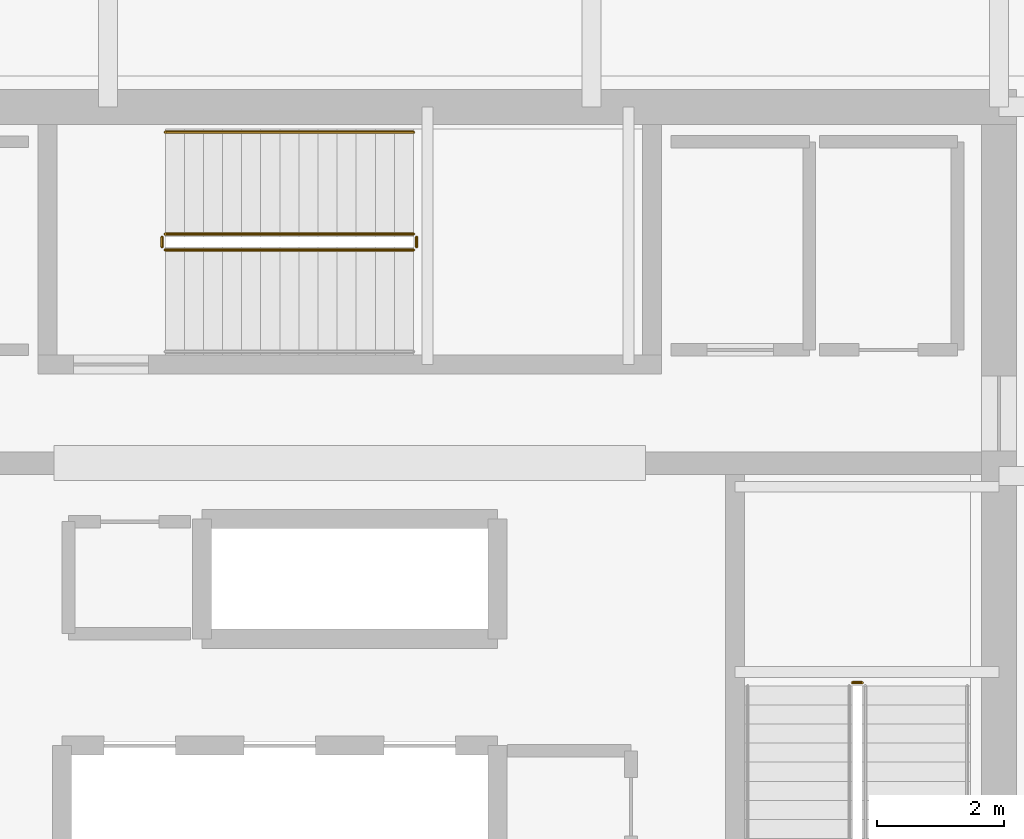
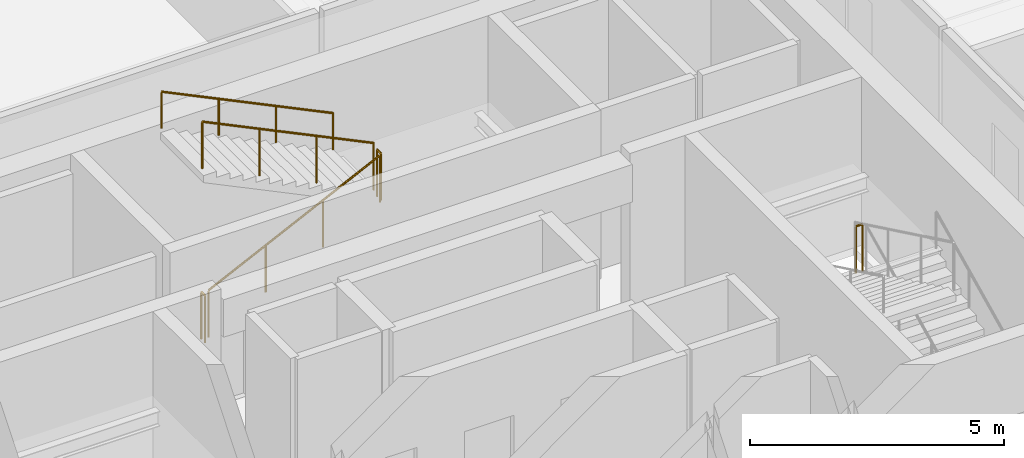
# One storey, part 38 of 39: 6 railings.
"""IFC4 building model written with IfcOpenShell, lengths in metres."""

from ifc_helpers import new_model, si_unit, direction, frame, origin, origin_2d, place, context, subcontext, project, spatial, circle, extrude, material, type_object, element, save


model = new_model("IFC4")

# Units and contexts
model_context = context("Model", 3, precision=1e-05, world=origin(), true_north=direction((0.0, 1.0)))
body_context = subcontext(model_context, "Body", "Model", "MODEL_VIEW")
ifc_project = project(units=[si_unit("LENGTHUNIT", "METRE"), si_unit("AREAUNIT", "SQUARE_METRE"), si_unit("VOLUMEUNIT", "CUBIC_METRE"), si_unit("PLANEANGLEUNIT", "RADIAN"), si_unit("MASSUNIT", "GRAM", prefix="KILO")], contexts=[model_context])

# Site, building, storey
site_placement = place(None, origin())
site = spatial("IfcSite", under=ifc_project, at=site_placement, CompositionType="ELEMENT")
building_placement = place(site_placement, origin())
building = spatial("IfcBuilding", under=site, at=building_placement, Name="Punatoya Terracotta Tower", CompositionType="ELEMENT")
storey_placement = place(building_placement, frame((0.0, 0.0, 275.699951171875)))
storey = spatial("IfcBuildingStorey", under=building, at=storey_placement, Name="L65", CompositionType="ELEMENT", Elevation=275.699951171875)

# Railings
ifc_material = material(Name="Steel S355", Category="steel")
railing_type_1 = type_object("IfcRailingType", Name="RLG-GRD-1150", PredefinedType="GUARDRAIL", material=ifc_material)
railing_1_placement = place(storey_placement, frame((8.050048828125, 0.14990234375, 2.025146484375)))
element("IfcRailing", 1, at=railing_1_placement, inside=storey, type_object=railing_type_1, Name="L65 ST-2 stair guard 2", PredefinedType="GUARDRAIL", context=body_context, shape_type="SweptSolid", body=[
    extrude(circle(Radius=0.02392578125, at=origin_2d()), frame((0.0, 0.0, 1.1259765625), z_axis=(-1.0, 0.0, 0.0), x_axis=(0.0, -1.0, 0.0)), (0.0, 0.0, 1.0), 0.150146484375),
    extrude(circle(Radius=0.02099609375, at=origin_2d()), origin(), (0.0, 0.0, 1.0), 1.101806640625),
    extrude(circle(Radius=0.02099609375, at=origin_2d()), frame((-0.150146484375, 0.0, 0.0)), (0.0, 0.0, 1.0), 1.101806640625),
])
railing_2_placement = place(storey_placement, frame((-2.89990234375, 6.949951171875, 0.144775390625)))
element("IfcRailing", 2, at=railing_2_placement, inside=storey, type_object=railing_type_1, Name="L65 ST-3 stair guard 1", PredefinedType="GUARDRAIL", context=body_context, shape_type="SweptSolid", body=[
    extrude(circle(Radius=0.02392578125, at=origin_2d()), frame((0.0, 0.0, 1.1259765625), z_axis=(0.900763166376, 0.0, 0.434310623978), x_axis=(0.0, 1.0, 0.0)), (0.0, 0.0, 1.0), 4.32958984375),
    extrude(circle(Radius=0.02099609375, at=origin_2d()), origin(), (0.0, 0.0, 1.0), 1.101806640625),
    extrude(circle(Radius=0.02099609375, at=origin_2d()), frame((1.300048828125, 0.0, 0.626708984375)), (0.0, 0.0, 1.0), 1.101806640625),
    extrude(circle(Radius=0.02099609375, at=origin_2d()), frame((2.599853515625, 0.0, 1.253662109375)), (0.0, 0.0, 1.0), 1.101806640625),
    extrude(circle(Radius=0.02099609375, at=origin_2d()), frame((3.89990234375, 0.0, 1.88037109375)), (0.0, 0.0, 1.0), 1.101806640625),
])
railing_3_placement = place(storey_placement, frame((1.050048828125, 7.0, 2.025146484375)))
element("IfcRailing", 3, at=railing_3_placement, inside=storey, type_object=railing_type_1, Name="L65 ST-3 stair guard 2", PredefinedType="GUARDRAIL", context=body_context, shape_type="SweptSolid", body=[
    extrude(circle(Radius=0.02392578125, at=origin_2d()), frame((0.0, 0.0, 1.1259765625), z_axis=(0.0, 1.0, 0.0), x_axis=(-1.0, 0.0, 0.0)), (0.0, 0.0, 1.0), 0.14990234375),
    extrude(circle(Radius=0.02099609375, at=origin_2d()), origin(), (0.0, 0.0, 1.0), 1.101806640625),
    extrude(circle(Radius=0.02099609375, at=origin_2d()), frame((0.0, 0.14990234375, 0.0)), (0.0, 0.0, 1.0), 1.101806640625),
])
railing_4_placement = place(storey_placement, frame((1.0, 7.199951171875, 2.169677734375)))
element("IfcRailing", 4, at=railing_4_placement, inside=storey, type_object=railing_type_1, Name="L65 ST-3 stair guard 3", PredefinedType="GUARDRAIL", context=body_context, shape_type="SweptSolid", body=[
    extrude(circle(Radius=0.02392578125, at=origin_2d()), frame((0.0, 0.0, 1.1259765625), z_axis=(-0.900763166376, 0.0, 0.434310623978), x_axis=(0.0, -1.0, 0.0)), (0.0, 0.0, 1.0), 4.32958984375),
    extrude(circle(Radius=0.02099609375, at=origin_2d()), origin(), (0.0, 0.0, 1.0), 1.101806640625),
    extrude(circle(Radius=0.02099609375, at=origin_2d()), frame((-1.300048828125, 0.0, 0.626708984375)), (0.0, 0.0, 1.0), 1.101806640625),
    extrude(circle(Radius=0.02099609375, at=origin_2d()), frame((-2.599853515625, 0.0, 1.253662109375)), (0.0, 0.0, 1.0), 1.101806640625),
    extrude(circle(Radius=0.02099609375, at=origin_2d()), frame((-3.89990234375, 0.0, 1.88037109375)), (0.0, 0.0, 1.0), 1.101806640625),
])
railing_5_placement = place(storey_placement, frame((-2.949951171875, 7.0, 0.0)))
element("IfcRailing", 5, at=railing_5_placement, inside=storey, type_object=railing_type_1, Name="L65 ST-3 stair guard 4", PredefinedType="GUARDRAIL", context=body_context, shape_type="SweptSolid", body=[
    extrude(circle(Radius=0.02392578125, at=origin_2d()), frame((0.0, 0.0, 1.1259765625), z_axis=(0.0, 1.0, 0.0), x_axis=(-1.0, 0.0, 0.0)), (0.0, 0.0, 1.0), 0.14990234375),
    extrude(circle(Radius=0.02099609375, at=origin_2d()), origin(), (0.0, 0.0, 1.0), 1.101806640625),
    extrude(circle(Radius=0.02099609375, at=origin_2d()), frame((0.0, 0.14990234375, 0.0)), (0.0, 0.0, 1.0), 1.101806640625),
])
railing_type_2 = type_object("IfcRailingType", Name="RLG-HND-900", PredefinedType="HANDRAIL", material=ifc_material)
railing_6_placement = place(storey_placement, frame((1.0, 8.800048828125, 2.169677734375)))
element("IfcRailing", 6, at=railing_6_placement, inside=storey, type_object=railing_type_2, Name="L65 ST-3 stair handrail 2", PredefinedType="HANDRAIL", context=body_context, shape_type="SweptSolid", body=[
    extrude(circle(Radius=0.02392578125, at=origin_2d()), frame((0.0, 0.0, 0.8759765625), z_axis=(-0.900763166376, 0.0, 0.434310623978), x_axis=(0.0, -1.0, 0.0)), (0.0, 0.0, 1.0), 4.32958984375),
    extrude(circle(Radius=0.02099609375, at=origin_2d()), origin(), (0.0, 0.0, 1.0), 0.851806640625),
    extrude(circle(Radius=0.02099609375, at=origin_2d()), frame((-1.300048828125, 0.0, 0.626708984375)), (0.0, 0.0, 1.0), 0.851806640625),
    extrude(circle(Radius=0.02099609375, at=origin_2d()), frame((-2.599853515625, 0.0, 1.253662109375)), (0.0, 0.0, 1.0), 0.851806640625),
    extrude(circle(Radius=0.02099609375, at=origin_2d()), frame((-3.89990234375, 0.0, 1.88037109375)), (0.0, 0.0, 1.0), 0.851806640625),
])

save(model, "model.ifc")
